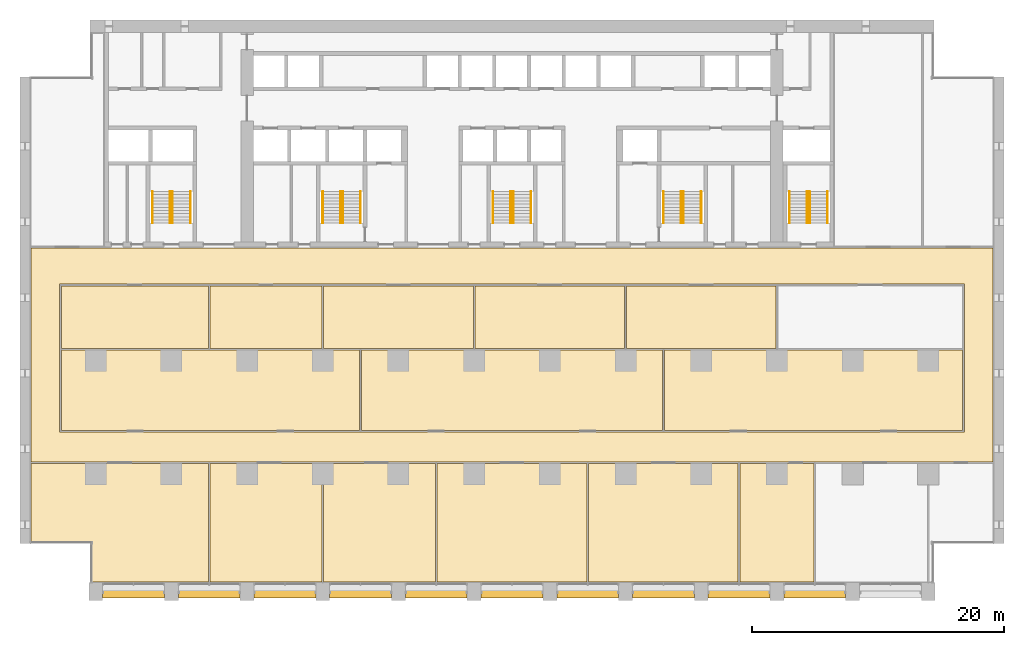
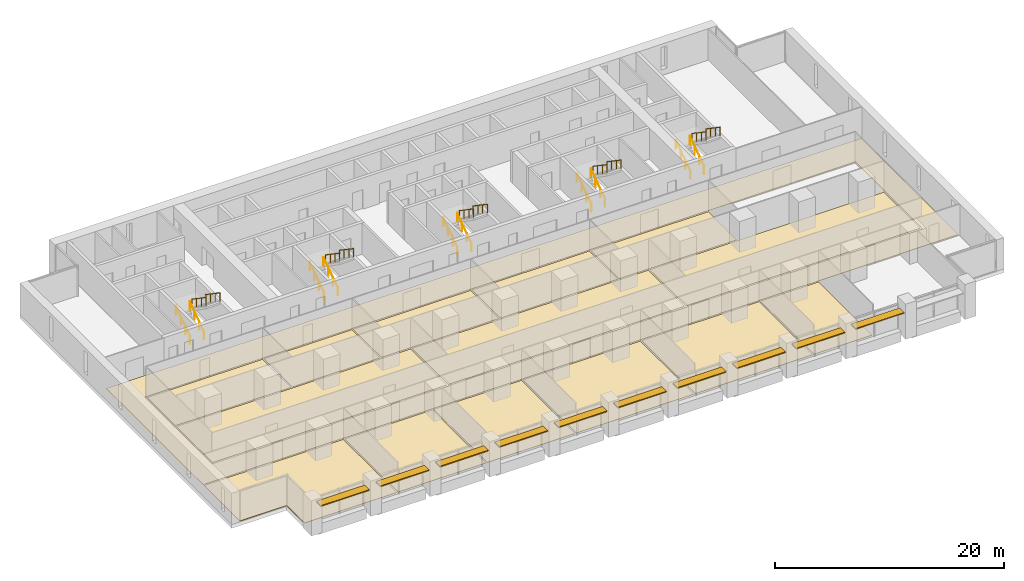
# One storey, part 17 of 18: 20 railings, 15 coverings, 10 shading devices, 5 elements without a shape of their own.
"""IFC4 building model written with IfcOpenShell, lengths in metres."""

from ifc_helpers import new_model, si_unit, direction, frame, origin, origin_2d, place, context, subcontext, project, spatial, polyline, rectangle, circle, outline, extrude, material, layer, layer_set, material_profile, profile_set, type_object, element, aggregate, save


model = new_model("IFC4")

# Units and contexts
model_context = context("Model", 3, precision=1e-05, world=origin(), true_north=direction((0.0, 1.0)))
body_context = subcontext(model_context, "Body", "Model", "MODEL_VIEW")
ifc_project = project(units=[si_unit("LENGTHUNIT", "METRE"), si_unit("AREAUNIT", "SQUARE_METRE"), si_unit("VOLUMEUNIT", "CUBIC_METRE"), si_unit("PLANEANGLEUNIT", "RADIAN"), si_unit("MASSUNIT", "GRAM", prefix="KILO")], contexts=[model_context])

# Site, building, storey
site_placement = place(None, origin())
site = spatial("IfcSite", under=ifc_project, at=site_placement, CompositionType="ELEMENT")
building_placement = place(site_placement, origin())
building = spatial("IfcBuilding", under=site, at=building_placement, Name="Calvaro Tower", CompositionType="ELEMENT")
storey_placement = place(building_placement, frame((0.0, 0.0, 48.75)))
storey = spatial("IfcBuildingStorey", under=building, at=storey_placement, Name="L11", CompositionType="ELEMENT", Elevation=48.75)

# Shading devices
ifc_material_1 = material(Name="Anodised aluminium", Category="aluminium")
ifc_material_profile = material_profile(ifc_material_1, rectangle(XDim=0.800048828125, YDim=0.10009765625, at=origin_2d()), Name="Brise-soleil blade 800 x 100")
ifc_profile_set = profile_set([ifc_material_profile], Name="Anodised aluminium")
shading_device_type = type_object("IfcShadingDeviceType", Name="Brise-soleil blade 800 x 100", PredefinedType="JALOUSIE", material=ifc_profile_set)
for number, where, z_axis, x_axis, name in (
    (1, (6.550048828125, 0.60009765625, 2.300048828125), (1.0, 0.0, 0.0), (0.0, 1.0, 0.0), "Brise-soleil blade 1"),
    (2, (12.550048828125, 0.60009765625, 2.300048828125), (1.0, 0.0, 0.0), (0.0, 1.0, 0.0), "Brise-soleil blade 2"),
    (3, (18.550048828125, 0.60009765625, 2.300048828125), (1.0, 0.0, 0.0), (0.0, 1.0, 0.0), "Brise-soleil blade 3"),
    (4, (24.550048828125, 0.60009765625, 2.300048828125), (1.0, 0.0, 0.0), (0.0, 1.0, 0.0), "Brise-soleil blade 4"),
    (5, (30.550048828125, 0.60009765625, 2.300048828125), (1.0, 0.0, 0.0), (0.0, 1.0, 0.0), "Brise-soleil blade 5"),
    (6, (36.550048828125, 0.60009765625, 2.300048828125), (1.0, 0.0, 0.0), (0.0, 1.0, 0.0), "Brise-soleil blade 6"),
    (7, (42.550048828125, 0.60009765625, 2.300048828125), (1.0, 0.0, 0.0), (0.0, 1.0, 0.0), "Brise-soleil blade 7"),
    (8, (48.550048828125, 0.60009765625, 2.300048828125), (1.0, 0.0, 0.0), (0.0, 1.0, 0.0), "Brise-soleil blade 8"),
    (9, (54.550048828125, 0.60009765625, 2.300048828125), (1.0, 0.0, 0.0), (0.0, 1.0, 0.0), "Brise-soleil blade 9"),
    (10, (60.550048828125, 0.60009765625, 2.300048828125), (1.0, 0.0, 0.0), (0.0, 1.0, 0.0), "Brise-soleil blade 10"),
):
    element("IfcShadingDevice", number, at=place(storey_placement, frame(where, z_axis=z_axis, x_axis=x_axis)), inside=storey, type_object=shading_device_type, Name=name, PredefinedType="JALOUSIE", context=body_context, shape_type="SweptSolid", body=[
        extrude(rectangle(XDim=0.800048828125, YDim=0.10009765625, at=origin_2d()), origin(), (0.0, 0.0, 1.0), 4.89990234375),
    ])

# Coverings
ifc_material_2 = material(Name="Cement screed with carpet tile finish")
ifc_layer = layer(ifc_material_2, 0.050048828125)
ifc_layer_set = layer_set([ifc_layer], Name="Cement screed with carpet tile finish")
covering_type = type_object("IfcCoveringType", Name="Floor finish 50", PredefinedType="FLOORING", material=ifc_layer_set)
covering_1_placement = place(storey_placement, origin())
element("IfcCovering", 11, at=covering_1_placement, inside=storey, type_object=covering_type, Name="Floor finish 10.01", PredefinedType="FLOORING", context=body_context, shape_type="SweptSolid", body=[
    extrude(outline(polyline([(0.8701171875, 10.969970703125), (0.8701171875, 27.929931640625), (77.1298828125, 27.929931640625), (77.1298828125, 10.969970703125), (0.8701171875, 10.969970703125)]), holes=[polyline([(74.8701171875, 13.330078125), (74.8701171875, 25.070068359375), (3.1298828125, 25.070068359375), (3.1298828125, 13.330078125), (74.8701171875, 13.330078125)])]), origin(), (0.0, 0.0, 1.0), 0.050048828125),
])
covering_2_placement = place(storey_placement, origin())
element("IfcCovering", 12, at=covering_2_placement, inside=storey, type_object=covering_type, Name="Floor finish 10.08", PredefinedType="FLOORING", context=body_context, shape_type="SweptSolid", body=[
    extrude(outline(polyline([(14.929931640625, 10.830078125), (14.929931640625, 1.469970703125), (5.6201171875, 1.469970703125), (5.6201171875, 4.570068359375), (0.8701171875, 4.570068359375), (0.8701171875, 10.830078125), (14.929931640625, 10.830078125)])), origin(), (0.0, 0.0, 1.0), 0.050048828125),
])
covering_3_placement = place(storey_placement, origin())
element("IfcCovering", 13, at=covering_3_placement, inside=storey, type_object=covering_type, Name="Floor finish 10.02", PredefinedType="FLOORING", context=body_context, shape_type="SweptSolid", body=[
    extrude(outline(polyline([(15.070068359375, 10.830078125), (23.929931640625, 10.830078125), (23.929931640625, 1.469970703125), (15.070068359375, 1.469970703125), (15.070068359375, 10.830078125)])), origin(), (0.0, 0.0, 1.0), 0.050048828125),
])
covering_4_placement = place(storey_placement, origin())
element("IfcCovering", 14, at=covering_4_placement, inside=storey, type_object=covering_type, Name="Floor finish 10.03", PredefinedType="FLOORING", context=body_context, shape_type="SweptSolid", body=[
    extrude(outline(polyline([(24.070068359375, 10.830078125), (32.929931640625, 10.830078125), (32.929931640625, 1.469970703125), (24.070068359375, 1.469970703125), (24.070068359375, 10.830078125)])), origin(), (0.0, 0.0, 1.0), 0.050048828125),
])
covering_5_placement = place(storey_placement, origin())
element("IfcCovering", 15, at=covering_5_placement, inside=storey, type_object=covering_type, Name="Floor finish 10.05", PredefinedType="FLOORING", context=body_context, shape_type="SweptSolid", body=[
    extrude(outline(polyline([(33.070068359375, 10.830078125), (44.929931640625, 10.830078125), (44.929931640625, 1.469970703125), (33.070068359375, 1.469970703125), (33.070068359375, 10.830078125)])), origin(), (0.0, 0.0, 1.0), 0.050048828125),
])
covering_6_placement = place(storey_placement, origin())
element("IfcCovering", 16, at=covering_6_placement, inside=storey, type_object=covering_type, Name="Floor finish 10.06", PredefinedType="FLOORING", context=body_context, shape_type="SweptSolid", body=[
    extrude(outline(polyline([(45.070068359375, 10.830078125), (56.929931640625, 10.830078125), (56.929931640625, 1.469970703125), (45.070068359375, 1.469970703125), (45.070068359375, 10.830078125)])), origin(), (0.0, 0.0, 1.0), 0.050048828125),
])
covering_7_placement = place(storey_placement, origin())
element("IfcCovering", 17, at=covering_7_placement, inside=storey, type_object=covering_type, Name="Floor finish 10.07", PredefinedType="FLOORING", context=body_context, shape_type="SweptSolid", body=[
    extrude(outline(polyline([(57.070068359375, 10.830078125), (62.929931640625, 10.830078125), (62.929931640625, 1.469970703125), (57.070068359375, 1.469970703125), (57.070068359375, 10.830078125)])), origin(), (0.0, 0.0, 1.0), 0.050048828125),
])
covering_8_placement = place(storey_placement, origin())
element("IfcCovering", 18, at=covering_8_placement, inside=storey, type_object=covering_type, Name="Floor finish 10.10", PredefinedType="FLOORING", context=body_context, shape_type="SweptSolid", body=[
    extrude(outline(polyline([(3.27001953125, 13.469970703125), (3.27001953125, 19.830078125), (26.929931640625, 19.830078125), (26.929931640625, 13.469970703125), (3.27001953125, 13.469970703125)])), origin(), (0.0, 0.0, 1.0), 0.050048828125),
])
covering_9_placement = place(storey_placement, origin())
element("IfcCovering", 19, at=covering_9_placement, inside=storey, type_object=covering_type, Name="Floor finish 10.12", PredefinedType="FLOORING", context=body_context, shape_type="SweptSolid", body=[
    extrude(outline(polyline([(27.070068359375, 13.469970703125), (27.070068359375, 19.830078125), (50.929931640625, 19.830078125), (50.929931640625, 13.469970703125), (27.070068359375, 13.469970703125)])), origin(), (0.0, 0.0, 1.0), 0.050048828125),
])
covering_10_placement = place(storey_placement, origin())
element("IfcCovering", 20, at=covering_10_placement, inside=storey, type_object=covering_type, Name="Floor finish 10.11", PredefinedType="FLOORING", context=body_context, shape_type="SweptSolid", body=[
    extrude(outline(polyline([(51.070068359375, 13.469970703125), (51.070068359375, 19.830078125), (74.72998046875, 19.830078125), (74.72998046875, 13.469970703125), (51.070068359375, 13.469970703125)])), origin(), (0.0, 0.0, 1.0), 0.050048828125),
])
covering_11_placement = place(storey_placement, origin())
element("IfcCovering", 21, at=covering_11_placement, inside=storey, type_object=covering_type, Name="Floor finish 10.13", PredefinedType="FLOORING", context=body_context, shape_type="SweptSolid", body=[
    extrude(outline(polyline([(3.27001953125, 19.969970703125), (3.27001953125, 24.929931640625), (14.929931640625, 24.929931640625), (14.929931640625, 19.969970703125), (3.27001953125, 19.969970703125)])), origin(), (0.0, 0.0, 1.0), 0.050048828125),
])
covering_12_placement = place(storey_placement, origin())
element("IfcCovering", 22, at=covering_12_placement, inside=storey, type_object=covering_type, Name="Floor finish 10.14", PredefinedType="FLOORING", context=body_context, shape_type="SweptSolid", body=[
    extrude(outline(polyline([(15.070068359375, 19.969970703125), (15.070068359375, 24.929931640625), (23.929931640625, 24.929931640625), (23.929931640625, 19.969970703125), (15.070068359375, 19.969970703125)])), origin(), (0.0, 0.0, 1.0), 0.050048828125),
])
covering_13_placement = place(storey_placement, origin())
element("IfcCovering", 23, at=covering_13_placement, inside=storey, type_object=covering_type, Name="Floor finish 10.16", PredefinedType="FLOORING", context=body_context, shape_type="SweptSolid", body=[
    extrude(outline(polyline([(24.070068359375, 19.969970703125), (24.070068359375, 24.929931640625), (35.929931640625, 24.929931640625), (35.929931640625, 19.969970703125), (24.070068359375, 19.969970703125)])), origin(), (0.0, 0.0, 1.0), 0.050048828125),
])
covering_14_placement = place(storey_placement, origin())
element("IfcCovering", 24, at=covering_14_placement, inside=storey, type_object=covering_type, Name="Floor finish 10.17", PredefinedType="FLOORING", context=body_context, shape_type="SweptSolid", body=[
    extrude(outline(polyline([(36.070068359375, 19.969970703125), (36.070068359375, 24.929931640625), (47.929931640625, 24.929931640625), (47.929931640625, 19.969970703125), (36.070068359375, 19.969970703125)])), origin(), (0.0, 0.0, 1.0), 0.050048828125),
])
covering_15_placement = place(storey_placement, origin())
element("IfcCovering", 25, at=covering_15_placement, inside=storey, type_object=covering_type, Name="Floor finish 10.18", PredefinedType="FLOORING", context=body_context, shape_type="SweptSolid", body=[
    extrude(outline(polyline([(48.070068359375, 19.969970703125), (48.070068359375, 24.929931640625), (59.929931640625, 24.929931640625), (59.929931640625, 19.969970703125), (48.070068359375, 19.969970703125)])), origin(), (0.0, 0.0, 1.0), 0.050048828125),
])

# Stair, railings
ifc_material_3 = material(Name="Concrete C40/50", Category="concrete")
stair_type = type_object("IfcStairType", Name="Exit stair 1400 2 flights", PredefinedType="HALF_TURN_STAIR", material=ifc_material_3)
stair_1_placement = place(storey_placement, origin())
stair_1 = element("IfcStair", 26, at=stair_1_placement, inside=storey, type_object=stair_type, Name="Exit stair S1", PredefinedType="HALF_TURN_STAIR")
ifc_material_4 = material(Name="Stainless steel", Category="steel")
railing_type = type_object("IfcRailingType", Name="Stair handrail", PredefinedType="HANDRAIL", material=ifc_material_4)
railing_1_placement = place(storey_placement, frame((11.89990234375, 29.89990234375, 0.17041015625)))
railing_1 = element("IfcRailing", 27, at=railing_1_placement, type_object=railing_type, Name="Exit stair 1 handrail", PredefinedType="HANDRAIL", context=body_context, shape_type="SweptSolid", body=[
    extrude(circle(Radius=0.02392578125, at=origin_2d()), frame((0.0, 0.0, 0.8759765625), z_axis=(0.0, 0.826220514629, 0.563346839174), x_axis=(-1.0, 0.0, 0.0)), (0.0, 0.0, 1.0), 3.02587890625),
    extrude(circle(Radius=0.02099609375, at=origin_2d()), frame((0.0, 0.017333984375, 0.01171875)), (0.0, 0.0, 1.0), 0.851806640625),
    extrude(circle(Radius=0.02099609375, at=origin_2d()), frame((0.0, 0.833251953125, 0.568115234375)), (0.0, 0.0, 1.0), 0.851806640625),
    extrude(circle(Radius=0.02099609375, at=origin_2d()), frame((0.0, 1.666748046875, 1.136474609375)), (0.0, 0.0, 1.0), 0.851806640625),
    extrude(circle(Radius=0.02099609375, at=origin_2d()), frame((0.0, 2.482666015625, 1.69287109375)), (0.0, 0.0, 1.0), 0.851806640625),
])
railing_2_placement = place(storey_placement, frame((10.5, 29.89990234375, 0.17041015625)))
railing_2 = element("IfcRailing", 28, at=railing_2_placement, type_object=railing_type, Name="Exit stair 1 handrail", PredefinedType="HANDRAIL", context=body_context, shape_type="SweptSolid", body=[
    extrude(circle(Radius=0.02392578125, at=origin_2d()), frame((0.0, 0.0, 0.8759765625), z_axis=(0.0, 0.826220514629, 0.563346839174), x_axis=(-1.0, 0.0, 0.0)), (0.0, 0.0, 1.0), 3.02587890625),
    extrude(circle(Radius=0.02099609375, at=origin_2d()), frame((0.0, 0.017333984375, 0.01171875)), (0.0, 0.0, 1.0), 0.851806640625),
    extrude(circle(Radius=0.02099609375, at=origin_2d()), frame((0.0, 0.833251953125, 0.568115234375)), (0.0, 0.0, 1.0), 0.851806640625),
    extrude(circle(Radius=0.02099609375, at=origin_2d()), frame((0.0, 1.666748046875, 1.136474609375)), (0.0, 0.0, 1.0), 0.851806640625),
    extrude(circle(Radius=0.02099609375, at=origin_2d()), frame((0.0, 2.482666015625, 1.69287109375)), (0.0, 0.0, 1.0), 0.851806640625),
])
railing_3_placement = place(storey_placement, frame((12.10009765625, 32.39990234375, 2.04541015625)))
railing_3 = element("IfcRailing", 29, at=railing_3_placement, type_object=railing_type, Name="Exit stair 1 handrail", PredefinedType="HANDRAIL", context=body_context, shape_type="SweptSolid", body=[
    extrude(circle(Radius=0.02392578125, at=origin_2d()), frame((0.0, 0.0, 0.8759765625), z_axis=(0.0, -0.826220514629, 0.563346839174), x_axis=(1.0, 0.0, 0.0)), (0.0, 0.0, 1.0), 3.02587890625),
    extrude(circle(Radius=0.02099609375, at=origin_2d()), frame((0.0, -0.017333984375, 0.01171875)), (0.0, 0.0, 1.0), 0.851806640625),
    extrude(circle(Radius=0.02099609375, at=origin_2d()), frame((0.0, -0.833251953125, 0.568115234375)), (0.0, 0.0, 1.0), 0.851806640625),
    extrude(circle(Radius=0.02099609375, at=origin_2d()), frame((0.0, -1.666748046875, 1.136474609375)), (0.0, 0.0, 1.0), 0.851806640625),
    extrude(circle(Radius=0.02099609375, at=origin_2d()), frame((0.0, -2.482666015625, 1.69287109375)), (0.0, 0.0, 1.0), 0.851806640625),
])
railing_4_placement = place(storey_placement, frame((13.5, 32.39990234375, 2.04541015625)))
railing_4 = element("IfcRailing", 30, at=railing_4_placement, type_object=railing_type, Name="Exit stair 1 handrail", PredefinedType="HANDRAIL", context=body_context, shape_type="SweptSolid", body=[
    extrude(circle(Radius=0.02392578125, at=origin_2d()), frame((0.0, 0.0, 0.8759765625), z_axis=(0.0, -0.826220514629, 0.563346839174), x_axis=(1.0, 0.0, 0.0)), (0.0, 0.0, 1.0), 3.02587890625),
    extrude(circle(Radius=0.02099609375, at=origin_2d()), frame((0.0, -0.017333984375, 0.01171875)), (0.0, 0.0, 1.0), 0.851806640625),
    extrude(circle(Radius=0.02099609375, at=origin_2d()), frame((0.0, -0.833251953125, 0.568115234375)), (0.0, 0.0, 1.0), 0.851806640625),
    extrude(circle(Radius=0.02099609375, at=origin_2d()), frame((0.0, -1.666748046875, 1.136474609375)), (0.0, 0.0, 1.0), 0.851806640625),
    extrude(circle(Radius=0.02099609375, at=origin_2d()), frame((0.0, -2.482666015625, 1.69287109375)), (0.0, 0.0, 1.0), 0.851806640625),
])
aggregate(stair_1, [railing_1, railing_2, railing_3, railing_4])

stair_2_placement = place(storey_placement, origin())
stair_2 = element("IfcStair", 31, at=stair_2_placement, inside=storey, type_object=stair_type, Name="Exit stair S2", PredefinedType="HALF_TURN_STAIR")
railing_5_placement = place(storey_placement, frame((25.39990234375, 29.89990234375, 0.17041015625)))
railing_5 = element("IfcRailing", 32, at=railing_5_placement, type_object=railing_type, Name="Exit stair 2 handrail", PredefinedType="HANDRAIL", context=body_context, shape_type="SweptSolid", body=[
    extrude(circle(Radius=0.02392578125, at=origin_2d()), frame((0.0, 0.0, 0.8759765625), z_axis=(0.0, 0.826220514629, 0.563346839174), x_axis=(-1.0, 0.0, 0.0)), (0.0, 0.0, 1.0), 3.02587890625),
    extrude(circle(Radius=0.02099609375, at=origin_2d()), frame((0.0, 0.017333984375, 0.01171875)), (0.0, 0.0, 1.0), 0.851806640625),
    extrude(circle(Radius=0.02099609375, at=origin_2d()), frame((0.0, 0.833251953125, 0.568115234375)), (0.0, 0.0, 1.0), 0.851806640625),
    extrude(circle(Radius=0.02099609375, at=origin_2d()), frame((0.0, 1.666748046875, 1.136474609375)), (0.0, 0.0, 1.0), 0.851806640625),
    extrude(circle(Radius=0.02099609375, at=origin_2d()), frame((0.0, 2.482666015625, 1.69287109375)), (0.0, 0.0, 1.0), 0.851806640625),
])
railing_6_placement = place(storey_placement, frame((24.0, 29.89990234375, 0.17041015625)))
railing_6 = element("IfcRailing", 33, at=railing_6_placement, type_object=railing_type, Name="Exit stair 2 handrail", PredefinedType="HANDRAIL", context=body_context, shape_type="SweptSolid", body=[
    extrude(circle(Radius=0.02392578125, at=origin_2d()), frame((0.0, 0.0, 0.8759765625), z_axis=(0.0, 0.826220514629, 0.563346839174), x_axis=(-1.0, 0.0, 0.0)), (0.0, 0.0, 1.0), 3.02587890625),
    extrude(circle(Radius=0.02099609375, at=origin_2d()), frame((0.0, 0.017333984375, 0.01171875)), (0.0, 0.0, 1.0), 0.851806640625),
    extrude(circle(Radius=0.02099609375, at=origin_2d()), frame((0.0, 0.833251953125, 0.568115234375)), (0.0, 0.0, 1.0), 0.851806640625),
    extrude(circle(Radius=0.02099609375, at=origin_2d()), frame((0.0, 1.666748046875, 1.136474609375)), (0.0, 0.0, 1.0), 0.851806640625),
    extrude(circle(Radius=0.02099609375, at=origin_2d()), frame((0.0, 2.482666015625, 1.69287109375)), (0.0, 0.0, 1.0), 0.851806640625),
])
railing_7_placement = place(storey_placement, frame((25.60009765625, 32.39990234375, 2.04541015625)))
railing_7 = element("IfcRailing", 34, at=railing_7_placement, type_object=railing_type, Name="Exit stair 2 handrail", PredefinedType="HANDRAIL", context=body_context, shape_type="SweptSolid", body=[
    extrude(circle(Radius=0.02392578125, at=origin_2d()), frame((0.0, 0.0, 0.8759765625), z_axis=(0.0, -0.826220514629, 0.563346839174), x_axis=(1.0, 0.0, 0.0)), (0.0, 0.0, 1.0), 3.02587890625),
    extrude(circle(Radius=0.02099609375, at=origin_2d()), frame((0.0, -0.017333984375, 0.01171875)), (0.0, 0.0, 1.0), 0.851806640625),
    extrude(circle(Radius=0.02099609375, at=origin_2d()), frame((0.0, -0.833251953125, 0.568115234375)), (0.0, 0.0, 1.0), 0.851806640625),
    extrude(circle(Radius=0.02099609375, at=origin_2d()), frame((0.0, -1.666748046875, 1.136474609375)), (0.0, 0.0, 1.0), 0.851806640625),
    extrude(circle(Radius=0.02099609375, at=origin_2d()), frame((0.0, -2.482666015625, 1.69287109375)), (0.0, 0.0, 1.0), 0.851806640625),
])
railing_8_placement = place(storey_placement, frame((27.0, 32.39990234375, 2.04541015625)))
railing_8 = element("IfcRailing", 35, at=railing_8_placement, type_object=railing_type, Name="Exit stair 2 handrail", PredefinedType="HANDRAIL", context=body_context, shape_type="SweptSolid", body=[
    extrude(circle(Radius=0.02392578125, at=origin_2d()), frame((0.0, 0.0, 0.8759765625), z_axis=(0.0, -0.826220514629, 0.563346839174), x_axis=(1.0, 0.0, 0.0)), (0.0, 0.0, 1.0), 3.02587890625),
    extrude(circle(Radius=0.02099609375, at=origin_2d()), frame((0.0, -0.017333984375, 0.01171875)), (0.0, 0.0, 1.0), 0.851806640625),
    extrude(circle(Radius=0.02099609375, at=origin_2d()), frame((0.0, -0.833251953125, 0.568115234375)), (0.0, 0.0, 1.0), 0.851806640625),
    extrude(circle(Radius=0.02099609375, at=origin_2d()), frame((0.0, -1.666748046875, 1.136474609375)), (0.0, 0.0, 1.0), 0.851806640625),
    extrude(circle(Radius=0.02099609375, at=origin_2d()), frame((0.0, -2.482666015625, 1.69287109375)), (0.0, 0.0, 1.0), 0.851806640625),
])
aggregate(stair_2, [railing_5, railing_6, railing_7, railing_8])

stair_3_placement = place(storey_placement, origin())
stair_3 = element("IfcStair", 36, at=stair_3_placement, inside=storey, type_object=stair_type, Name="Exit stair S3", PredefinedType="HALF_TURN_STAIR")
railing_9_placement = place(storey_placement, frame((38.89990234375, 29.89990234375, 0.17041015625)))
railing_9 = element("IfcRailing", 37, at=railing_9_placement, type_object=railing_type, Name="Exit stair 3 handrail", PredefinedType="HANDRAIL", context=body_context, shape_type="SweptSolid", body=[
    extrude(circle(Radius=0.02392578125, at=origin_2d()), frame((0.0, 0.0, 0.8759765625), z_axis=(0.0, 0.826220514629, 0.563346839174), x_axis=(-1.0, 0.0, 0.0)), (0.0, 0.0, 1.0), 3.02587890625),
    extrude(circle(Radius=0.02099609375, at=origin_2d()), frame((0.0, 0.017333984375, 0.01171875)), (0.0, 0.0, 1.0), 0.851806640625),
    extrude(circle(Radius=0.02099609375, at=origin_2d()), frame((0.0, 0.833251953125, 0.568115234375)), (0.0, 0.0, 1.0), 0.851806640625),
    extrude(circle(Radius=0.02099609375, at=origin_2d()), frame((0.0, 1.666748046875, 1.136474609375)), (0.0, 0.0, 1.0), 0.851806640625),
    extrude(circle(Radius=0.02099609375, at=origin_2d()), frame((0.0, 2.482666015625, 1.69287109375)), (0.0, 0.0, 1.0), 0.851806640625),
])
railing_10_placement = place(storey_placement, frame((37.5, 29.89990234375, 0.17041015625)))
railing_10 = element("IfcRailing", 38, at=railing_10_placement, type_object=railing_type, Name="Exit stair 3 handrail", PredefinedType="HANDRAIL", context=body_context, shape_type="SweptSolid", body=[
    extrude(circle(Radius=0.02392578125, at=origin_2d()), frame((0.0, 0.0, 0.8759765625), z_axis=(0.0, 0.826220514629, 0.563346839174), x_axis=(-1.0, 0.0, 0.0)), (0.0, 0.0, 1.0), 3.02587890625),
    extrude(circle(Radius=0.02099609375, at=origin_2d()), frame((0.0, 0.017333984375, 0.01171875)), (0.0, 0.0, 1.0), 0.851806640625),
    extrude(circle(Radius=0.02099609375, at=origin_2d()), frame((0.0, 0.833251953125, 0.568115234375)), (0.0, 0.0, 1.0), 0.851806640625),
    extrude(circle(Radius=0.02099609375, at=origin_2d()), frame((0.0, 1.666748046875, 1.136474609375)), (0.0, 0.0, 1.0), 0.851806640625),
    extrude(circle(Radius=0.02099609375, at=origin_2d()), frame((0.0, 2.482666015625, 1.69287109375)), (0.0, 0.0, 1.0), 0.851806640625),
])
railing_11_placement = place(storey_placement, frame((39.10009765625, 32.39990234375, 2.04541015625)))
railing_11 = element("IfcRailing", 39, at=railing_11_placement, type_object=railing_type, Name="Exit stair 3 handrail", PredefinedType="HANDRAIL", context=body_context, shape_type="SweptSolid", body=[
    extrude(circle(Radius=0.02392578125, at=origin_2d()), frame((0.0, 0.0, 0.8759765625), z_axis=(0.0, -0.826220514629, 0.563346839174), x_axis=(1.0, 0.0, 0.0)), (0.0, 0.0, 1.0), 3.02587890625),
    extrude(circle(Radius=0.02099609375, at=origin_2d()), frame((0.0, -0.017333984375, 0.01171875)), (0.0, 0.0, 1.0), 0.851806640625),
    extrude(circle(Radius=0.02099609375, at=origin_2d()), frame((0.0, -0.833251953125, 0.568115234375)), (0.0, 0.0, 1.0), 0.851806640625),
    extrude(circle(Radius=0.02099609375, at=origin_2d()), frame((0.0, -1.666748046875, 1.136474609375)), (0.0, 0.0, 1.0), 0.851806640625),
    extrude(circle(Radius=0.02099609375, at=origin_2d()), frame((0.0, -2.482666015625, 1.69287109375)), (0.0, 0.0, 1.0), 0.851806640625),
])
railing_12_placement = place(storey_placement, frame((40.5, 32.39990234375, 2.04541015625)))
railing_12 = element("IfcRailing", 40, at=railing_12_placement, type_object=railing_type, Name="Exit stair 3 handrail", PredefinedType="HANDRAIL", context=body_context, shape_type="SweptSolid", body=[
    extrude(circle(Radius=0.02392578125, at=origin_2d()), frame((0.0, 0.0, 0.8759765625), z_axis=(0.0, -0.826220514629, 0.563346839174), x_axis=(1.0, 0.0, 0.0)), (0.0, 0.0, 1.0), 3.02587890625),
    extrude(circle(Radius=0.02099609375, at=origin_2d()), frame((0.0, -0.017333984375, 0.01171875)), (0.0, 0.0, 1.0), 0.851806640625),
    extrude(circle(Radius=0.02099609375, at=origin_2d()), frame((0.0, -0.833251953125, 0.568115234375)), (0.0, 0.0, 1.0), 0.851806640625),
    extrude(circle(Radius=0.02099609375, at=origin_2d()), frame((0.0, -1.666748046875, 1.136474609375)), (0.0, 0.0, 1.0), 0.851806640625),
    extrude(circle(Radius=0.02099609375, at=origin_2d()), frame((0.0, -2.482666015625, 1.69287109375)), (0.0, 0.0, 1.0), 0.851806640625),
])
aggregate(stair_3, [railing_9, railing_10, railing_11, railing_12])

stair_4_placement = place(storey_placement, origin())
stair_4 = element("IfcStair", 41, at=stair_4_placement, inside=storey, type_object=stair_type, Name="Exit stair S4", PredefinedType="HALF_TURN_STAIR")
railing_13_placement = place(storey_placement, frame((52.39990234375, 29.89990234375, 0.17041015625)))
railing_13 = element("IfcRailing", 42, at=railing_13_placement, type_object=railing_type, Name="Exit stair 4 handrail", PredefinedType="HANDRAIL", context=body_context, shape_type="SweptSolid", body=[
    extrude(circle(Radius=0.02392578125, at=origin_2d()), frame((0.0, 0.0, 0.8759765625), z_axis=(0.0, 0.826220514629, 0.563346839174), x_axis=(-1.0, 0.0, 0.0)), (0.0, 0.0, 1.0), 3.02587890625),
    extrude(circle(Radius=0.02099609375, at=origin_2d()), frame((0.0, 0.017333984375, 0.01171875)), (0.0, 0.0, 1.0), 0.851806640625),
    extrude(circle(Radius=0.02099609375, at=origin_2d()), frame((0.0, 0.833251953125, 0.568115234375)), (0.0, 0.0, 1.0), 0.851806640625),
    extrude(circle(Radius=0.02099609375, at=origin_2d()), frame((0.0, 1.666748046875, 1.136474609375)), (0.0, 0.0, 1.0), 0.851806640625),
    extrude(circle(Radius=0.02099609375, at=origin_2d()), frame((0.0, 2.482666015625, 1.69287109375)), (0.0, 0.0, 1.0), 0.851806640625),
])
railing_14_placement = place(storey_placement, frame((51.0, 29.89990234375, 0.17041015625)))
railing_14 = element("IfcRailing", 43, at=railing_14_placement, type_object=railing_type, Name="Exit stair 4 handrail", PredefinedType="HANDRAIL", context=body_context, shape_type="SweptSolid", body=[
    extrude(circle(Radius=0.02392578125, at=origin_2d()), frame((0.0, 0.0, 0.8759765625), z_axis=(0.0, 0.826220514629, 0.563346839174), x_axis=(-1.0, 0.0, 0.0)), (0.0, 0.0, 1.0), 3.02587890625),
    extrude(circle(Radius=0.02099609375, at=origin_2d()), frame((0.0, 0.017333984375, 0.01171875)), (0.0, 0.0, 1.0), 0.851806640625),
    extrude(circle(Radius=0.02099609375, at=origin_2d()), frame((0.0, 0.833251953125, 0.568115234375)), (0.0, 0.0, 1.0), 0.851806640625),
    extrude(circle(Radius=0.02099609375, at=origin_2d()), frame((0.0, 1.666748046875, 1.136474609375)), (0.0, 0.0, 1.0), 0.851806640625),
    extrude(circle(Radius=0.02099609375, at=origin_2d()), frame((0.0, 2.482666015625, 1.69287109375)), (0.0, 0.0, 1.0), 0.851806640625),
])
railing_15_placement = place(storey_placement, frame((52.60009765625, 32.39990234375, 2.04541015625)))
railing_15 = element("IfcRailing", 44, at=railing_15_placement, type_object=railing_type, Name="Exit stair 4 handrail", PredefinedType="HANDRAIL", context=body_context, shape_type="SweptSolid", body=[
    extrude(circle(Radius=0.02392578125, at=origin_2d()), frame((0.0, 0.0, 0.8759765625), z_axis=(0.0, -0.826220514629, 0.563346839174), x_axis=(1.0, 0.0, 0.0)), (0.0, 0.0, 1.0), 3.02587890625),
    extrude(circle(Radius=0.02099609375, at=origin_2d()), frame((0.0, -0.017333984375, 0.01171875)), (0.0, 0.0, 1.0), 0.851806640625),
    extrude(circle(Radius=0.02099609375, at=origin_2d()), frame((0.0, -0.833251953125, 0.568115234375)), (0.0, 0.0, 1.0), 0.851806640625),
    extrude(circle(Radius=0.02099609375, at=origin_2d()), frame((0.0, -1.666748046875, 1.136474609375)), (0.0, 0.0, 1.0), 0.851806640625),
    extrude(circle(Radius=0.02099609375, at=origin_2d()), frame((0.0, -2.482666015625, 1.69287109375)), (0.0, 0.0, 1.0), 0.851806640625),
])
railing_16_placement = place(storey_placement, frame((54.0, 32.39990234375, 2.04541015625)))
railing_16 = element("IfcRailing", 45, at=railing_16_placement, type_object=railing_type, Name="Exit stair 4 handrail", PredefinedType="HANDRAIL", context=body_context, shape_type="SweptSolid", body=[
    extrude(circle(Radius=0.02392578125, at=origin_2d()), frame((0.0, 0.0, 0.8759765625), z_axis=(0.0, -0.826220514629, 0.563346839174), x_axis=(1.0, 0.0, 0.0)), (0.0, 0.0, 1.0), 3.02587890625),
    extrude(circle(Radius=0.02099609375, at=origin_2d()), frame((0.0, -0.017333984375, 0.01171875)), (0.0, 0.0, 1.0), 0.851806640625),
    extrude(circle(Radius=0.02099609375, at=origin_2d()), frame((0.0, -0.833251953125, 0.568115234375)), (0.0, 0.0, 1.0), 0.851806640625),
    extrude(circle(Radius=0.02099609375, at=origin_2d()), frame((0.0, -1.666748046875, 1.136474609375)), (0.0, 0.0, 1.0), 0.851806640625),
    extrude(circle(Radius=0.02099609375, at=origin_2d()), frame((0.0, -2.482666015625, 1.69287109375)), (0.0, 0.0, 1.0), 0.851806640625),
])
aggregate(stair_4, [railing_13, railing_14, railing_15, railing_16])

stair_5_placement = place(storey_placement, origin())
stair_5 = element("IfcStair", 46, at=stair_5_placement, inside=storey, type_object=stair_type, Name="Exit stair S5", PredefinedType="HALF_TURN_STAIR")
railing_17_placement = place(storey_placement, frame((62.39990234375, 29.89990234375, 0.17041015625)))
railing_17 = element("IfcRailing", 47, at=railing_17_placement, type_object=railing_type, Name="Exit stair 5 handrail", PredefinedType="HANDRAIL", context=body_context, shape_type="SweptSolid", body=[
    extrude(circle(Radius=0.02392578125, at=origin_2d()), frame((0.0, 0.0, 0.8759765625), z_axis=(0.0, 0.826220514629, 0.563346839174), x_axis=(-1.0, 0.0, 0.0)), (0.0, 0.0, 1.0), 3.02587890625),
    extrude(circle(Radius=0.02099609375, at=origin_2d()), frame((0.0, 0.017333984375, 0.01171875)), (0.0, 0.0, 1.0), 0.851806640625),
    extrude(circle(Radius=0.02099609375, at=origin_2d()), frame((0.0, 0.833251953125, 0.568115234375)), (0.0, 0.0, 1.0), 0.851806640625),
    extrude(circle(Radius=0.02099609375, at=origin_2d()), frame((0.0, 1.666748046875, 1.136474609375)), (0.0, 0.0, 1.0), 0.851806640625),
    extrude(circle(Radius=0.02099609375, at=origin_2d()), frame((0.0, 2.482666015625, 1.69287109375)), (0.0, 0.0, 1.0), 0.851806640625),
])
railing_18_placement = place(storey_placement, frame((61.0, 29.89990234375, 0.17041015625)))
railing_18 = element("IfcRailing", 48, at=railing_18_placement, type_object=railing_type, Name="Exit stair 5 handrail", PredefinedType="HANDRAIL", context=body_context, shape_type="SweptSolid", body=[
    extrude(circle(Radius=0.02392578125, at=origin_2d()), frame((0.0, 0.0, 0.8759765625), z_axis=(0.0, 0.826220514629, 0.563346839174), x_axis=(-1.0, 0.0, 0.0)), (0.0, 0.0, 1.0), 3.02587890625),
    extrude(circle(Radius=0.02099609375, at=origin_2d()), frame((0.0, 0.017333984375, 0.01171875)), (0.0, 0.0, 1.0), 0.851806640625),
    extrude(circle(Radius=0.02099609375, at=origin_2d()), frame((0.0, 0.833251953125, 0.568115234375)), (0.0, 0.0, 1.0), 0.851806640625),
    extrude(circle(Radius=0.02099609375, at=origin_2d()), frame((0.0, 1.666748046875, 1.136474609375)), (0.0, 0.0, 1.0), 0.851806640625),
    extrude(circle(Radius=0.02099609375, at=origin_2d()), frame((0.0, 2.482666015625, 1.69287109375)), (0.0, 0.0, 1.0), 0.851806640625),
])
railing_19_placement = place(storey_placement, frame((62.60009765625, 32.39990234375, 2.04541015625)))
railing_19 = element("IfcRailing", 49, at=railing_19_placement, type_object=railing_type, Name="Exit stair 5 handrail", PredefinedType="HANDRAIL", context=body_context, shape_type="SweptSolid", body=[
    extrude(circle(Radius=0.02392578125, at=origin_2d()), frame((0.0, 0.0, 0.8759765625), z_axis=(0.0, -0.826220514629, 0.563346839174), x_axis=(1.0, 0.0, 0.0)), (0.0, 0.0, 1.0), 3.02587890625),
    extrude(circle(Radius=0.02099609375, at=origin_2d()), frame((0.0, -0.017333984375, 0.01171875)), (0.0, 0.0, 1.0), 0.851806640625),
    extrude(circle(Radius=0.02099609375, at=origin_2d()), frame((0.0, -0.833251953125, 0.568115234375)), (0.0, 0.0, 1.0), 0.851806640625),
    extrude(circle(Radius=0.02099609375, at=origin_2d()), frame((0.0, -1.666748046875, 1.136474609375)), (0.0, 0.0, 1.0), 0.851806640625),
    extrude(circle(Radius=0.02099609375, at=origin_2d()), frame((0.0, -2.482666015625, 1.69287109375)), (0.0, 0.0, 1.0), 0.851806640625),
])
railing_20_placement = place(storey_placement, frame((64.0, 32.39990234375, 2.04541015625)))
railing_20 = element("IfcRailing", 50, at=railing_20_placement, type_object=railing_type, Name="Exit stair 5 handrail", PredefinedType="HANDRAIL", context=body_context, shape_type="SweptSolid", body=[
    extrude(circle(Radius=0.02392578125, at=origin_2d()), frame((0.0, 0.0, 0.8759765625), z_axis=(0.0, -0.826220514629, 0.563346839174), x_axis=(1.0, 0.0, 0.0)), (0.0, 0.0, 1.0), 3.02587890625),
    extrude(circle(Radius=0.02099609375, at=origin_2d()), frame((0.0, -0.017333984375, 0.01171875)), (0.0, 0.0, 1.0), 0.851806640625),
    extrude(circle(Radius=0.02099609375, at=origin_2d()), frame((0.0, -0.833251953125, 0.568115234375)), (0.0, 0.0, 1.0), 0.851806640625),
    extrude(circle(Radius=0.02099609375, at=origin_2d()), frame((0.0, -1.666748046875, 1.136474609375)), (0.0, 0.0, 1.0), 0.851806640625),
    extrude(circle(Radius=0.02099609375, at=origin_2d()), frame((0.0, -2.482666015625, 1.69287109375)), (0.0, 0.0, 1.0), 0.851806640625),
])
aggregate(stair_5, [railing_17, railing_18, railing_19, railing_20])

save(model, "model.ifc")
